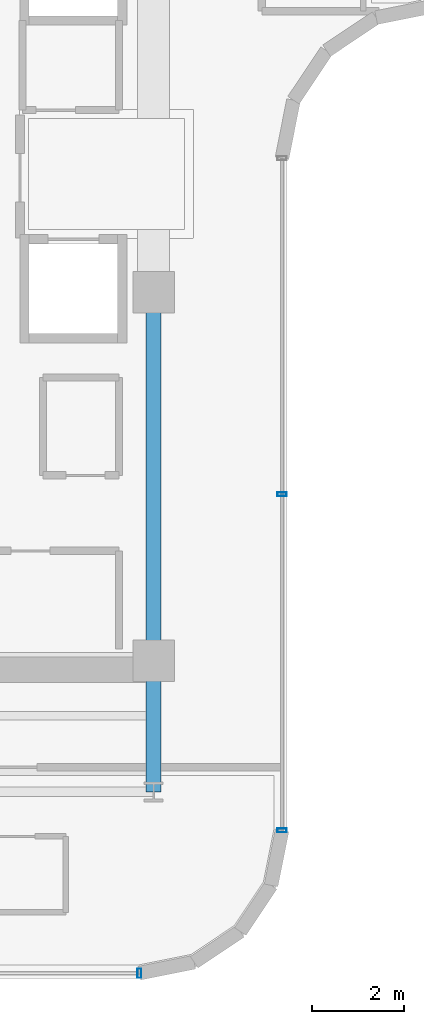
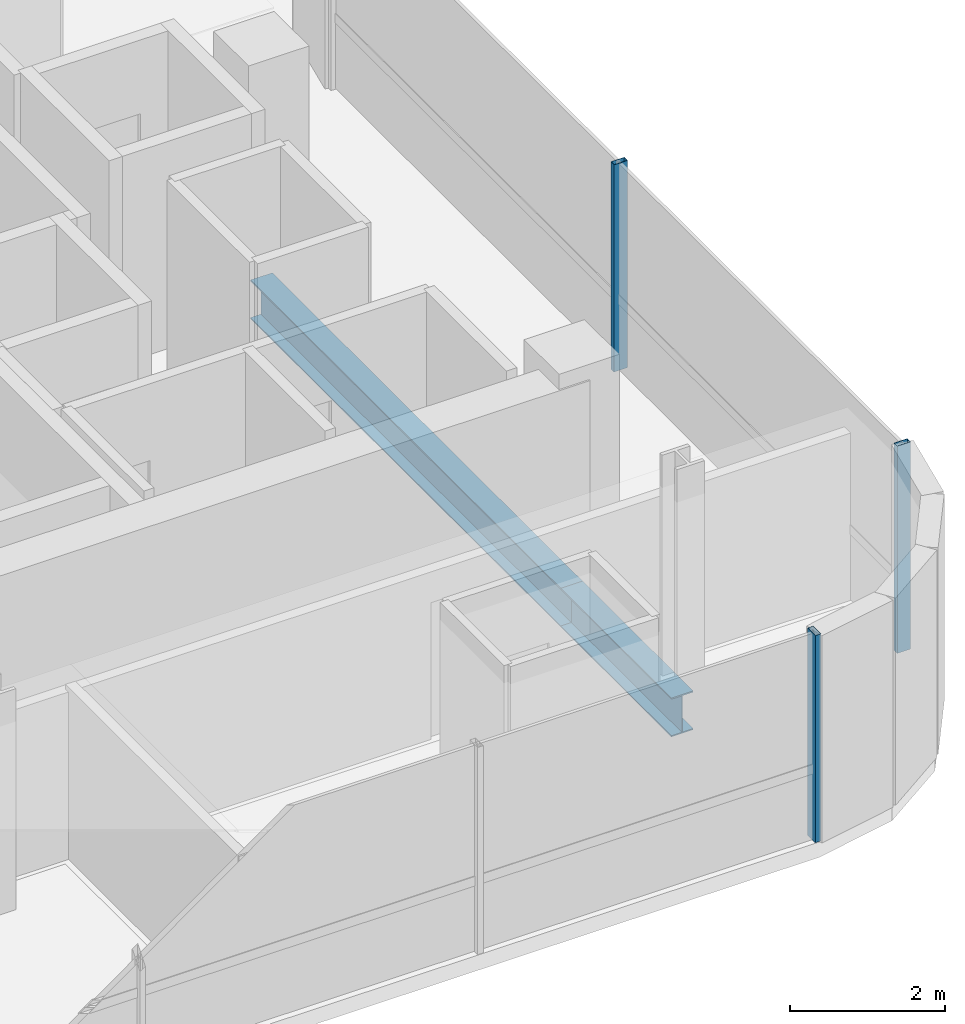
# One storey, part 5 of 22: 3 members, 2 beams, 2 elements without a shape of their own.
"""IFC4 building model written with IfcOpenShell, lengths in metres."""

import ifcopenshell
import ifcopenshell.guid

model = None  # the IFC model being written
_history = None  # IfcOwnerHistory: only IFC2X3 demands one
_inside = {}  # id of a spatial element -> (the spatial element, [elements in it])
_under = {}  # id of a project, library or spatial element -> (it, [spatial elements below it])
_declared = {}  # id of a project -> (the project, [libraries it declares])
_typed = {}  # id of a type object -> (the type object, [elements of that type])
_made_of = {}  # id of a material, layer set ... -> (it, [elements and type objects made of it])


def new_model(schema):
    """Start an empty IFC model of exactly this schema.

    Asked for "IFC4X3", IfcOpenShell would pick the latest addendum, in which some entities
    have other attributes; the version numbers below select the first issue.
    IFC2X3 requires an IfcOwnerHistory on every rooted entity: one is made here for all.
    """
    global model, _history
    if schema == "IFC4X3":
        model = ifcopenshell.file(schema_version=(4, 3, 0, 0))
    else:
        model = ifcopenshell.file(schema=schema)
    _inside.clear()
    _under.clear()
    _declared.clear()
    _typed.clear()
    _made_of.clear()
    _history = None
    if model.schema == "IFC2X3":
        org = make("IfcOrganization", Name="unknown")
        user = make(
            "IfcPersonAndOrganization",
            ThePerson=make("IfcPerson", FamilyName="unknown"),
            TheOrganization=org,
        )
        app = make(
            "IfcApplication",
            ApplicationDeveloper=org,
            Version="unknown",
            ApplicationFullName="unknown",
            ApplicationIdentifier="unknown",
        )
        _history = make(
            "IfcOwnerHistory",
            OwningUser=user,
            OwningApplication=app,
            ChangeAction="ADDED",
            CreationDate=0,
        )
    return model


def make(cls, **values):
    """One entity of the class cls with the attributes given. An attribute that is None is left unset."""
    return model.create_entity(
        cls, **{name: value for name, value in values.items() if value is not None}
    )


def rooted(cls, **values):
    """An entity with a GlobalId (a new one), such as an element, a storey or a relation."""
    return make(cls, GlobalId=ifcopenshell.guid.new(), OwnerHistory=_history, **values)


def si_unit(unit_type, name, prefix=None):
    """IfcSIUnit, for example si_unit("LENGTHUNIT", "METRE", prefix="MILLI")."""
    return make("IfcSIUnit", UnitType=unit_type, Prefix=prefix, Name=name)


def assignment(units):
    """IfcUnitAssignment: the units of a project."""
    return None if units is None else make("IfcUnitAssignment", Units=units)


def point(xyz):
    """IfcCartesianPoint."""
    return None if xyz is None else make("IfcCartesianPoint", Coordinates=xyz)


def direction(xyz):
    """IfcDirection."""
    return None if xyz is None else make("IfcDirection", DirectionRatios=xyz)


def frame(location, z_axis=None, x_axis=None):
    """IfcAxis2Placement3D, a coordinate frame: its origin and axes. An axis left out is left unset."""
    return make(
        "IfcAxis2Placement3D",
        Location=point(location),
        Axis=direction(z_axis),
        RefDirection=direction(x_axis),
    )


def frame_2d(location, x_axis=None):
    """IfcAxis2Placement2D, a coordinate frame in the plane: its origin and x axis."""
    return make(
        "IfcAxis2Placement2D", Location=point(location), RefDirection=direction(x_axis)
    )


def origin():
    """The frame at (0, 0, 0) with its axes left unset."""
    return frame((0.0, 0.0, 0.0))


def origin_2d():
    """The frame at (0, 0) in the plane with its x axis left unset."""
    return frame_2d((0.0, 0.0))


def place(relative_to, where):
    """IfcLocalPlacement: puts the frame where relative to a parent placement (None: the world)."""
    return make(
        "IfcLocalPlacement", PlacementRelTo=relative_to, RelativePlacement=where
    )


def context(
    kind, dimensions, precision=None, world=None, true_north=None, identifier=None
):
    """IfcGeometricRepresentationContext, for example the 3D "Model" context."""
    return make(
        "IfcGeometricRepresentationContext",
        ContextIdentifier=identifier,
        ContextType=kind,
        CoordinateSpaceDimension=dimensions,
        Precision=precision,
        WorldCoordinateSystem=world,
        TrueNorth=true_north,
    )


def subcontext(parent, identifier, kind, view, scale=None):
    """IfcGeometricRepresentationSubContext, for example "Body" below "Model"."""
    return make(
        "IfcGeometricRepresentationSubContext",
        ContextIdentifier=identifier,
        ContextType=kind,
        ParentContext=parent,
        TargetScale=scale,
        TargetView=view,
    )


def project(units=None, contexts=None):
    """IfcProject with its units and contexts."""
    return rooted(
        "IfcProject",
        Name="project",
        RepresentationContexts=contexts,
        UnitsInContext=assignment(units),
    )


def spatial(cls, under=None, at=None, **own):
    """A site, building, storey or space (cls), placed at a placement, below another one or the project."""
    s = rooted(cls, ObjectPlacement=at, **own)
    if under is not None:
        _under.setdefault(under.id(), (under, []))[1].append(s)
    return s


def profile(cls, at=None, kind="AREA", **sizes):
    """A parametric profile (cls). Its sizes go by their IFC names, for example OverallWidth=200.0."""
    return make(cls, ProfileType=kind, Position=at, **sizes)


def hollow_rectangle(**sizes):
    """IfcRectangleHollowProfileDef."""
    return profile("IfcRectangleHollowProfileDef", **sizes)


def i_section(**sizes):
    """IfcIShapeProfileDef."""
    return profile("IfcIShapeProfileDef", **sizes)


def extrude(swept, where, along, depth):
    """IfcExtrudedAreaSolid: the profile swept, set in the frame where, extruded along a direction by depth."""
    return make(
        "IfcExtrudedAreaSolid",
        SweptArea=swept,
        Position=where,
        ExtrudedDirection=direction(along),
        Depth=depth,
    )


def shape(context_of_items, identifier, shape_type, items):
    """IfcShapeRepresentation: the items that make up one representation, for example the "Body"."""
    return make(
        "IfcShapeRepresentation",
        ContextOfItems=context_of_items,
        RepresentationIdentifier=identifier,
        RepresentationType=shape_type,
        Items=items,
    )


def source(mapping_origin, context_of_items, identifier, shape_type, items):
    """IfcRepresentationMap: a shape defined once, which mapped items show again and again."""
    return make(
        "IfcRepresentationMap",
        MappingOrigin=mapping_origin,
        MappedRepresentation=shape(context_of_items, identifier, shape_type, items),
    )


def transform(
    local_origin,
    x_axis=None,
    y_axis=None,
    z_axis=None,
    scale=None,
    scale2=None,
    scale3=None,
    uniform=True,
):
    """IfcCartesianTransformationOperator3D, or its non-uniform kind. x_axis, y_axis, z_axis: its Axis1, 2, 3."""
    if uniform:
        return make(
            "IfcCartesianTransformationOperator3D",
            Axis1=direction(x_axis),
            Axis2=direction(y_axis),
            LocalOrigin=point(local_origin),
            Scale=scale,
            Axis3=direction(z_axis),
        )
    return make(
        "IfcCartesianTransformationOperator3DnonUniform",
        Axis1=direction(x_axis),
        Axis2=direction(y_axis),
        LocalOrigin=point(local_origin),
        Scale=scale,
        Axis3=direction(z_axis),
        Scale2=scale2,
        Scale3=scale3,
    )


def mapped(mapping_source, mapping_target):
    """IfcMappedItem: shows the shape of a source again, moved by a transform."""
    return make(
        "IfcMappedItem", MappingSource=mapping_source, MappingTarget=mapping_target
    )


def material(Name=None, Category=None):
    """IfcMaterial."""
    return make("IfcMaterial", Name=Name, Category=Category)


def material_profile(
    of_material, cross_section, Name=None, Category=None, Priority=None
):
    """IfcMaterialProfile: a cross section and its material."""
    return make(
        "IfcMaterialProfile",
        Name=Name,
        Material=of_material,
        Profile=cross_section,
        Priority=Priority,
        Category=Category,
    )


def profile_set(profiles, Name=None, composite=None):
    """IfcMaterialProfileSet."""
    return make(
        "IfcMaterialProfileSet",
        Name=Name,
        MaterialProfiles=profiles,
        CompositeProfile=composite,
    )


def made_of(thing, what):
    """Note that an element or type object is made of a material, layer set ...; save() writes the relation."""
    if what is not None:
        _made_of.setdefault(what.id(), (what, []))[1].append(thing)
    return thing


def type_object(cls, material=None, **own):
    """A type object (cls), such as IfcWallType, which elements share."""
    return made_of(rooted(cls, **own), material)


def element(
    cls,
    number,
    at=None,
    inside=None,
    cuts=None,
    type_object=None,
    material=None,
    context=None,
    identifier="Body",
    shape_type=None,
    held_by="IfcProductDefinitionShape",
    body=None,
    shapes=None,
    **own,
):
    """One element of the class cls, such as IfcWall. Its Tag is "e" and its number.

    at: its placement. inside: the storey or other place that contains it. cuts: it is an
    opening in that element (IfcRelVoidsElement). A single representation is given by context,
    identifier, shape_type and body (its items); several are given by shapes. held_by: the class
    of the entity that holds the representations. save() writes the other relations.
    """
    e = rooted(cls, Tag="e%d" % number, ObjectPlacement=at, **own)
    if body is not None:
        shapes = [shape(context, identifier, shape_type, body)]
    if shapes is not None:
        e.Representation = make(held_by, Representations=shapes)
    if inside is not None:
        _inside.setdefault(inside.id(), (inside, []))[1].append(e)
    if cuts is not None:
        rooted(
            "IfcRelVoidsElement", RelatingBuildingElement=cuts, RelatedOpeningElement=e
        )
    if type_object is not None:
        _typed.setdefault(type_object.id(), (type_object, []))[1].append(e)
    return made_of(e, material)


def aggregate(whole, parts):
    """IfcRelAggregates: a whole, such as a stair, and the parts it consists of."""
    return rooted("IfcRelAggregates", RelatingObject=whole, RelatedObjects=parts)


def save(model, path):
    """Write the relations noted so far, then the file.

    IfcRelAggregates (storeys below a building ...), IfcRelContainedInSpatialStructure (elements
    in a storey), IfcRelDefinesByType, IfcRelAssociatesMaterial and IfcRelDeclares: one each for
    every whole, place, type object, material and project.
    """
    for whole, parts in _under.values():
        aggregate(whole, parts)
    for where, things in _inside.values():
        rooted(
            "IfcRelContainedInSpatialStructure",
            RelatedElements=things,
            RelatingStructure=where,
        )
    for kind, things in _typed.values():
        rooted("IfcRelDefinesByType", RelatedObjects=things, RelatingType=kind)
    for what, things in _made_of.values():
        rooted("IfcRelAssociatesMaterial", RelatedObjects=things, RelatingMaterial=what)
    for by, libraries in _declared.values():
        rooted("IfcRelDeclares", RelatingContext=by, RelatedDefinitions=libraries)
    model.write(path)


model = new_model("IFC4")

# Units and contexts
model_context = context("Model", 3, precision=1e-05, world=origin(), true_north=direction((0.0, 1.0)))
body_context = subcontext(model_context, "Body", "Model", "MODEL_VIEW")
ifc_project = project(units=[si_unit("LENGTHUNIT", "METRE"), si_unit("AREAUNIT", "SQUARE_METRE"), si_unit("VOLUMEUNIT", "CUBIC_METRE"), si_unit("PLANEANGLEUNIT", "RADIAN"), si_unit("MASSUNIT", "GRAM", prefix="KILO")], contexts=[model_context])

# Site, building, storey
site_placement = place(None, origin())
site = spatial("IfcSite", under=ifc_project, at=site_placement, CompositionType="ELEMENT")
building_placement = place(site_placement, origin())
building = spatial("IfcBuilding", under=site, at=building_placement, Name="Valdorenza Pilgrim Sanctuary Tower", CompositionType="ELEMENT")
storey_placement = place(building_placement, frame((0.0, 0.0, 216.0)))
storey = spatial("IfcBuildingStorey", under=building, at=storey_placement, Name="L55", CompositionType="ELEMENT", Elevation=216.0)

# Beams
ifc_material_1 = material(Name="Steel ASTM A992 Grade 50", Category="steel")
ifc_material_profile_1 = material_profile(ifc_material_1, i_section(OverallWidth=0.323974609375, OverallDepth=0.611083984375, WebThickness=0.0126953125, FlangeThickness=0.01904296875, at=origin_2d()), Name="W24X104")
ifc_profile_set_1 = profile_set([ifc_material_profile_1], Name="Steel ASTM A992 Grade 50")
beam_type = type_object("IfcBeamType", Name="STR-BM-GRD-W24B", PredefinedType="BEAM", material=ifc_profile_set_1)
shared_shape_1 = source(origin(), body_context, "Body", "SweptSolid", [
    extrude(i_section(OverallWidth=0.323974609375, OverallDepth=0.611083984375, WebThickness=0.0126953125, FlangeThickness=0.01904296875, at=origin_2d()), origin(), (0.0, 0.0, 1.0), 8.0),
])
beam_1_placement = place(storey_placement, frame((-12.39990234375, -10.60009765625, -0.54541015625), z_axis=(0.0, 1.0, 0.0), x_axis=(-1.0, 0.0, 0.0)))
element("IfcBeam", 1, at=beam_1_placement, inside=storey, type_object=beam_type, Name="L55 Core Tie Girder CA-E-S1M0", PredefinedType="BEAM", context=body_context, shape_type="MappedRepresentation", body=[
    mapped(shared_shape_1, transform((0.0, 0.0, 0.0), x_axis=(1.0, 0.0, 0.0), y_axis=(0.0, 1.0, 0.0), z_axis=(0.0, 0.0, 1.0), scale=1.0)),
])
shared_shape_2 = source(origin(), body_context, "Body", "SweptSolid", [
    extrude(i_section(OverallWidth=0.323974609375, OverallDepth=0.611083984375, WebThickness=0.0126953125, FlangeThickness=0.01904296875, at=origin_2d()), origin(), (0.0, 0.0, 1.0), 2.849853515625),
])
beam_2_placement = place(storey_placement, frame((-12.39990234375, -13.449951171875, -0.54541015625), z_axis=(0.0, 1.0, 0.0), x_axis=(-1.0, 0.0, 0.0)))
element("IfcBeam", 2, at=beam_2_placement, inside=storey, type_object=beam_type, Name="L55 Floor Girder WA-S-LE", PredefinedType="BEAM", context=body_context, shape_type="MappedRepresentation", body=[
    mapped(shared_shape_2, transform((0.0, 0.0, 0.0), x_axis=(1.0, 0.0, 0.0), y_axis=(0.0, 1.0, 0.0), z_axis=(0.0, 0.0, 1.0), scale=1.0)),
])

# Curtain wall, members
ifc_material_2 = material(Name="Curtain-wall IGU glazing", Category="glass")
curtain_wall_type = type_object("IfcCurtainWallType", Name="CW-SYS-02", PredefinedType="NOTDEFINED", material=ifc_material_2)
curtain_wall_1_placement = place(storey_placement, origin())
curtain_wall_1 = element("IfcCurtainWall", 3, at=curtain_wall_1_placement, inside=storey, type_object=curtain_wall_type, Name="L55 Curtain Wall CW-L55-1-21", PredefinedType="NOTDEFINED")
ifc_material_3 = material(Name="Anodised aluminium AW-6060", Category="aluminium")
ifc_material_profile_2 = material_profile(ifc_material_3, hollow_rectangle(XDim=0.0849609375, YDim=0.199951171875, WallThickness=0.0048828125, at=origin_2d()), Name="ALU-M 200x85x5")
ifc_profile_set_2 = profile_set([ifc_material_profile_2], Name="Anodised aluminium AW-6060")
member_type = type_object("IfcMemberType", Name="CW-MUL-02", PredefinedType="MULLION", material=ifc_profile_set_2)
shared_shape_3 = source(origin(), body_context, "Body", "SweptSolid", [
    extrude(hollow_rectangle(XDim=0.0849609375, YDim=0.199951171875, WallThickness=0.0048828125, at=origin_2d()), origin(), (0.0, 0.0, 1.0), 3.260009765625),
])
member_1_placement = place(storey_placement, frame((-9.610107421875, -6.9892578125, 0.0), z_axis=(0.0, 0.0, 1.0), x_axis=(0.0, -1.0, 0.0)))
member_1 = element("IfcMember", 4, at=member_1_placement, type_object=member_type, Name="CW-L55-1-21 Mullion 2", PredefinedType="MULLION", context=body_context, shape_type="MappedRepresentation", body=[
    mapped(shared_shape_3, transform((0.0, 0.0, 0.0), x_axis=(1.0, 0.0, 0.0), y_axis=(0.0, 1.0, 0.0), z_axis=(0.0, 0.0, 1.0), scale=1.0)),
])
member_2_placement = place(storey_placement, frame((-9.610107421875, -14.289306640625, 0.0), z_axis=(0.0, 0.0, 1.0), x_axis=(0.0, -1.0, 0.0)))
member_2 = element("IfcMember", 5, at=member_2_placement, type_object=member_type, Name="CW-L55-1-21 Mullion 3", PredefinedType="MULLION", context=body_context, shape_type="MappedRepresentation", body=[
    mapped(shared_shape_3, transform((0.0, 0.0, 0.0), x_axis=(1.0, 0.0, 0.0), y_axis=(0.0, 1.0, 0.0), z_axis=(0.0, 0.0, 1.0), scale=1.0)),
])
aggregate(curtain_wall_1, [member_1, member_2])

# Curtain wall, member
curtain_wall_2_placement = place(storey_placement, origin())
curtain_wall_2 = element("IfcCurtainWall", 6, at=curtain_wall_2_placement, inside=storey, type_object=curtain_wall_type, Name="L55 Curtain Wall CW-L55-1-26", PredefinedType="NOTDEFINED")
member_3_placement = place(storey_placement, frame((-12.710693359375, -17.389892578125, 0.0), z_axis=(0.0, 0.0, 1.0), x_axis=(-1.0, 0.0, 0.0)))
member_3 = element("IfcMember", 7, at=member_3_placement, type_object=member_type, Name="CW-L55-1-26 Mullion 1", PredefinedType="MULLION", context=body_context, shape_type="MappedRepresentation", body=[
    mapped(shared_shape_3, transform((0.0, 0.0, 0.0), x_axis=(1.0, 0.0, 0.0), y_axis=(0.0, 1.0, 0.0), z_axis=(0.0, 0.0, 1.0), scale=1.0)),
])
aggregate(curtain_wall_2, [member_3])

save(model, "model.ifc")
